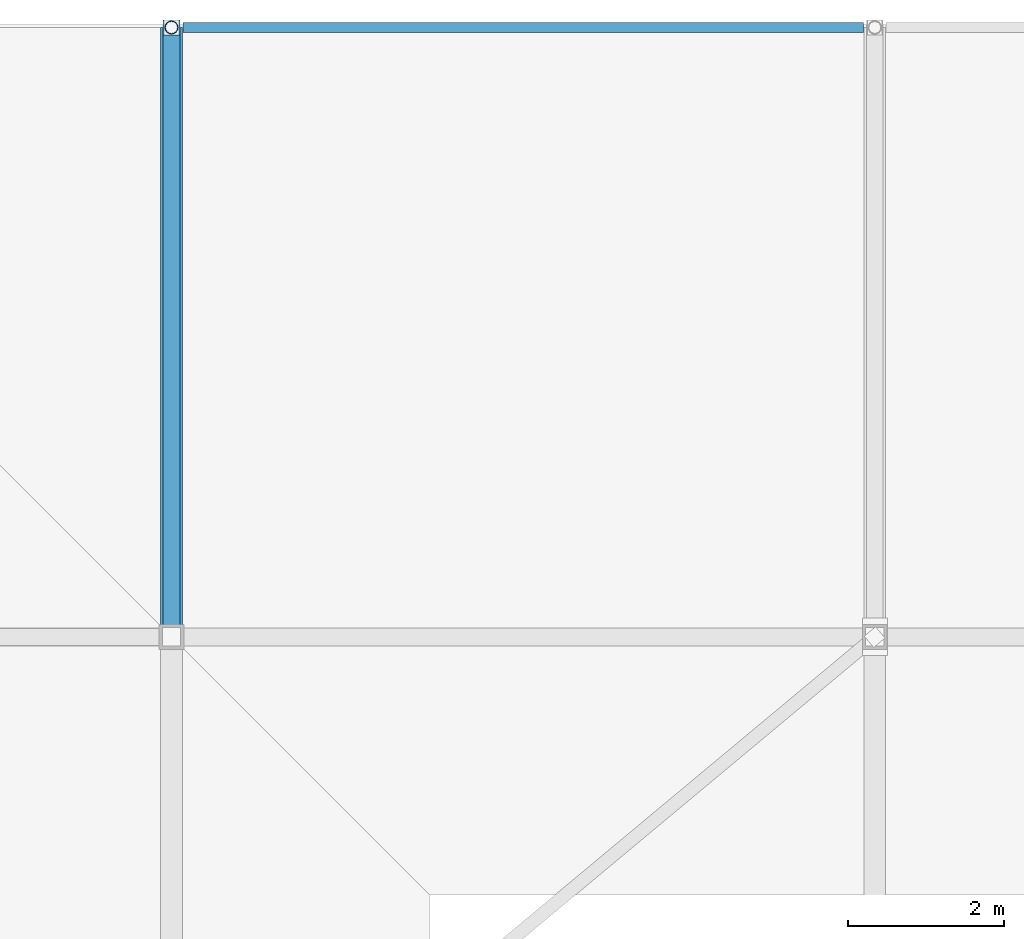
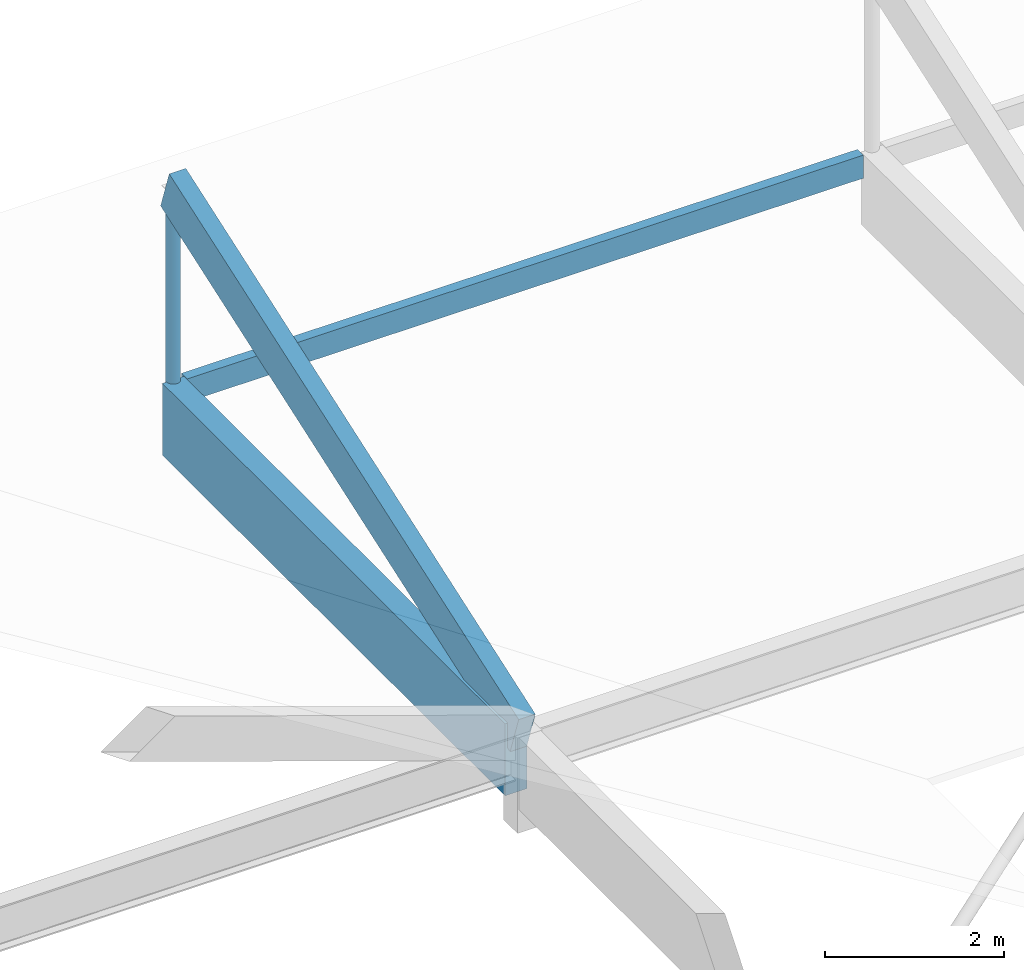
# One storey, part 8 of 19: 2 beams, 2 members.
"""IFC4 building model written with IfcOpenShell, lengths in metres."""

from ifc_helpers import new_model, si_unit, direction, frame, origin, origin_2d, place, context, subcontext, project, spatial, rectangle, hollow_circle, extrude, material, material_profile, profile_set, type_object, element, save


model = new_model("IFC4")

# Units and contexts
model_context = context("Model", 3, precision=1e-05, world=origin(), true_north=direction((0.0, 1.0)))
body_context = subcontext(model_context, "Body", "Model", "MODEL_VIEW")
ifc_project = project(units=[si_unit("LENGTHUNIT", "METRE"), si_unit("AREAUNIT", "SQUARE_METRE"), si_unit("VOLUMEUNIT", "CUBIC_METRE"), si_unit("PLANEANGLEUNIT", "RADIAN"), si_unit("MASSUNIT", "GRAM", prefix="KILO")], contexts=[model_context])

# Site, building, storey
site_placement = place(None, origin())
site = spatial("IfcSite", under=ifc_project, at=site_placement, CompositionType="ELEMENT")
building_placement = place(site_placement, origin())
building = spatial("IfcBuilding", under=site, at=building_placement, Name="Marnridge Secondary College", CompositionType="ELEMENT")
storey_placement = place(building_placement, frame((0.0, 0.0, 23.699951171875)))
storey = spatial("IfcBuildingStorey", under=building, at=storey_placement, Name="Roof Level", CompositionType="ELEMENT", Elevation=23.699951171875)

# Beams
ifc_material_1 = material(Name="Glulam timber GL18", Category="wood")
ifc_material_profile_1 = material_profile(ifc_material_1, rectangle(XDim=0.1298828125, YDim=0.31494140625, at=origin_2d()), Name="GL18 130x315")
ifc_profile_set_1 = profile_set([ifc_material_profile_1], Name="Glulam timber GL18")
beam_type_1 = type_object("IfcBeamType", Name="BM-GL315-EXT", PredefinedType="BEAM", material=ifc_profile_set_1)
beam_1_placement = place(storey_placement, frame((54.14501953125, 75.300048828125, 1.142578125), z_axis=(1.0, 0.0, 0.0), x_axis=(0.0, 1.0, 0.0)))
element("IfcBeam", 1, at=beam_1_placement, inside=storey, type_object=beam_type_1, Name="Beam BCAN-Roo-1509", PredefinedType="BEAM", context=body_context, shape_type="SweptSolid", body=[
    extrude(rectangle(XDim=0.1298828125, YDim=0.31494140625, at=origin_2d()), origin(), (0.0, 0.0, 1.0), 8.7099609375),
])
ifc_material_2 = material(Name="Glulam timber GL18", Category="wood")
ifc_material_profile_2 = material_profile(ifc_material_2, rectangle(XDim=0.280029296875, YDim=0.97998046875, at=origin_2d()), Name="GL18 280x980")
ifc_profile_set_2 = profile_set([ifc_material_profile_2], Name="Glulam timber GL18")
beam_type_2 = type_object("IfcBeamType", Name="BM-GL980-EXT", PredefinedType="BEAM", material=ifc_profile_set_2)
beam_2_placement = place(storey_placement, frame((54.0, 67.651611328125, 0.81005859375), z_axis=(0.0, 1.0, 0.0), x_axis=(-1.0, 0.0, 0.0)))
element("IfcBeam", 2, at=beam_2_placement, inside=storey, type_object=beam_type_2, Name="Beam BCAN-Roo-1488", PredefinedType="BEAM", context=body_context, shape_type="SweptSolid", body=[
    extrude(rectangle(XDim=0.280029296875, YDim=0.97998046875, at=origin_2d()), origin(), (0.0, 0.0, 1.0), 7.6484375),
])

# Members
ifc_material_3 = material(Name="Cold-formed steel Grade C350L0 (AS/NZS 1163, fy = 350 MPa)", Category="steel")
ifc_material_profile_3 = material_profile(ifc_material_3, hollow_circle(Radius=0.084228515625, WallThickness=0.00634765625, at=origin_2d()), Name="168.3x6.4CHS")
ifc_profile_set_3 = profile_set([ifc_material_profile_3], Name="Cold-formed steel Grade C350L0 (AS/NZS 1163, fy = 350 MPa)")
member_type_1 = type_object("IfcMemberType", Name="MB-BR-CHS168E", PredefinedType="BRACE", material=ifc_profile_set_3)
member_1_placement = place(storey_placement, frame((54.0, 75.300048828125, 1.219970703125), z_axis=(0.0, 0.0, 1.0), x_axis=(1.0, 0.0, 0.0)))
element("IfcMember", 3, at=member_1_placement, inside=storey, type_object=member_type_1, Name="Canopy eave web strut MCAN-002", PredefinedType="BRACE", context=body_context, shape_type="SweptSolid", body=[
    extrude(hollow_circle(Radius=0.084228515625, WallThickness=0.00634765625, at=origin_2d()), origin(), (0.0, 0.0, 1.0), 2.705078125),
])
ifc_material_4 = material(Name="Glulam timber GL18", Category="wood")
ifc_material_profile_4 = material_profile(ifc_material_4, rectangle(XDim=0.215087890625, YDim=0.5849609375, at=origin_2d()), Name="GL18 215x585")
ifc_profile_set_4 = profile_set([ifc_material_profile_4], Name="Glulam timber GL18")
member_type_2 = type_object("IfcMemberType", Name="MB-GS-GL585", PredefinedType="CHORD", material=ifc_profile_set_4)
member_2_placement = place(storey_placement, frame((54.0, 67.5, 1.219970703125), z_axis=(0.0, 0.944796411745, 0.327657962444), x_axis=(-1.0, 0.0, 0.0)))
element("IfcMember", 4, at=member_2_placement, inside=storey, type_object=member_type_2, Name="Canopy overhang truss chord MCR-002", PredefinedType="CHORD", context=body_context, shape_type="SweptSolid", body=[
    extrude(rectangle(XDim=0.215087890625, YDim=0.5849609375, at=origin_2d()), origin(), (0.0, 0.0, 1.0), 8.255859375),
])

save(model, "model.ifc")
